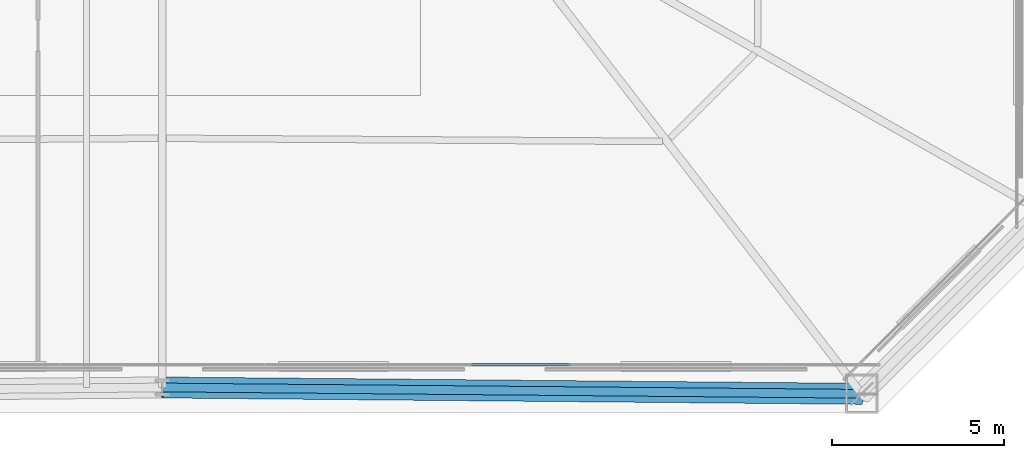
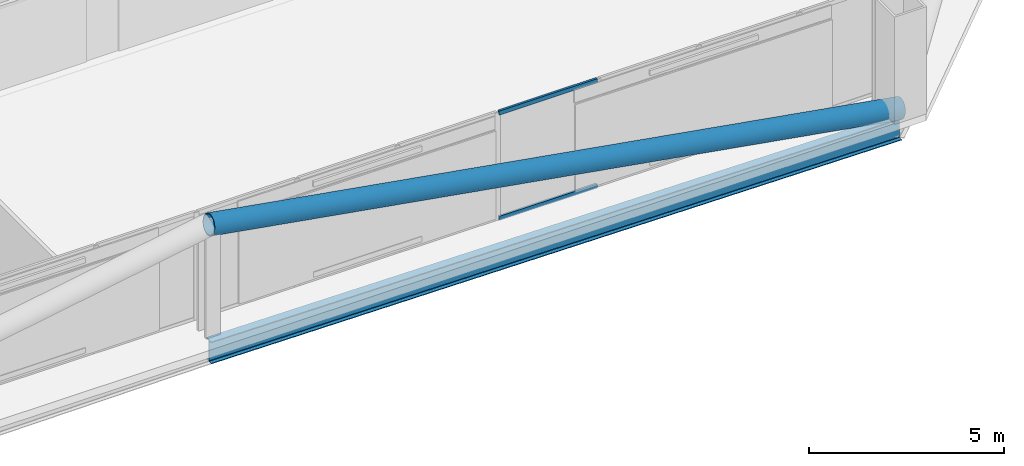
# One storey, part 20 of 50: 3 members, 1 beam, 1 element without a shape of its own.
"""IFC4 building model written with IfcOpenShell, lengths in metres."""

from ifc_helpers import new_model, si_unit, direction, frame, origin, origin_2d, place, context, subcontext, project, spatial, hollow_rectangle, hollow_circle, i_section, extrude, material, layer, layer_set, material_profile, profile_set, type_object, element, aggregate, save


model = new_model("IFC4")

# Units and contexts
model_context = context("Model", 3, precision=1e-05, world=origin(), true_north=direction((0.0, 1.0)))
body_context = subcontext(model_context, "Body", "Model", "MODEL_VIEW")
ifc_project = project(units=[si_unit("LENGTHUNIT", "METRE"), si_unit("AREAUNIT", "SQUARE_METRE"), si_unit("VOLUMEUNIT", "CUBIC_METRE"), si_unit("PLANEANGLEUNIT", "RADIAN"), si_unit("MASSUNIT", "GRAM", prefix="KILO")], contexts=[model_context])

# Site, building, storey
site_placement = place(None, origin())
site = spatial("IfcSite", under=ifc_project, at=site_placement, CompositionType="ELEMENT")
building_placement = place(site_placement, origin())
building = spatial("IfcBuilding", under=site, at=building_placement, Name="Caelvoria Tower", CompositionType="ELEMENT")
storey_placement = place(building_placement, frame((0.0, 0.0, 71.199951171875)))
storey = spatial("IfcBuildingStorey", under=building, at=storey_placement, Name="L18", CompositionType="ELEMENT", Elevation=71.199951171875)

# Curtain wall, members
ifc_material_1 = material(Name="Anodised Bronze Aluminium and Low-E Glass", Category="aluminium")
ifc_layer = layer(ifc_material_1, 0.18505859375, Name="Anodised Bronze Aluminium and Low-E Glass")
ifc_layer_set = layer_set([ifc_layer], Name="CW System 2 Lower Tower Bronze Unitised Facade - Anodised Bronze Aluminium and Low-E Glass")
curtain_wall_type = type_object("IfcCurtainWallType", Name="CW System 2 Lower Tower Bronze Unitised Facade", PredefinedType="NOTDEFINED", material=ifc_layer_set)
curtain_wall_placement = place(storey_placement, origin())
curtain_wall = element("IfcCurtainWall", 1, at=curtain_wall_placement, inside=storey, type_object=curtain_wall_type, Name="CW-02 Curtain Wall L18-E0", PredefinedType="NOTDEFINED")
ifc_material_2 = material(Name="Anodised Bronze Architectural Aluminium", Category="aluminium")
ifc_material_profile_1 = material_profile(ifc_material_2, hollow_rectangle(XDim=0.06494140625, YDim=0.1298828125, WallThickness=0.00341796875, at=origin_2d()), Name="Anodised Bronze Architectural Aluminium")
ifc_profile_set_1 = profile_set([ifc_material_profile_1], Name="CW_TRAN_65X130 - Anodised Bronze Architectural Aluminium")
member_type_1 = type_object("IfcMemberType", Name="Curtain Wall Transom 65x130 Bronze Aluminium", PredefinedType="USERDEFINED", material=ifc_profile_set_1)
member_1_placement = place(storey_placement, frame((54.94677734375, 10.179931640625, 0.032470703125), z_axis=(1.0, 0.0, 0.0), x_axis=(0.0, 1.0, 0.0)))
member_1 = element("IfcMember", 2, at=member_1_placement, type_object=member_type_1, Name="CW-02 transom 11.1", ObjectType="TRANSOM", PredefinedType="USERDEFINED", context=body_context, shape_type="SweptSolid", body=[
    extrude(hollow_rectangle(XDim=0.06494140625, YDim=0.1298828125, WallThickness=0.00341796875, at=origin_2d()), origin(), (0.0, 0.0, 1.0), 2.906494140625),
])
member_2_placement = place(storey_placement, frame((54.94677734375, 10.179931640625, 3.32763671875), z_axis=(1.0, 0.0, 0.0), x_axis=(0.0, 1.0, 0.0)))
member_2 = element("IfcMember", 3, at=member_2_placement, type_object=member_type_1, Name="CW-02 transom 11.2", ObjectType="TRANSOM", PredefinedType="USERDEFINED", context=body_context, shape_type="SweptSolid", body=[
    extrude(hollow_rectangle(XDim=0.06494140625, YDim=0.1298828125, WallThickness=0.00341796875, at=origin_2d()), origin(), (0.0, 0.0, 1.0), 2.906494140625),
])
aggregate(curtain_wall, [member_1, member_2])

# Member
ifc_material_3 = material(Name="Structural Steel ASTM A572 Gr.50", Category="steel")
ifc_material_profile_2 = material_profile(ifc_material_3, hollow_circle(Radius=0.304931640625, WallThickness=0.02490234375, at=origin_2d()), Name="Structural Steel ASTM A572 Gr.50")
ifc_profile_set_2 = profile_set([ifc_material_profile_2], Name="CHS610X25 - Structural Steel ASTM A572 Gr.50")
member_type_2 = type_object("IfcMemberType", Name="Lower Perimeter Mega Brace CHS610X25", PredefinedType="BRACE", material=ifc_profile_set_2)
member_3_placement = place(storey_placement, frame((66.3193359375, 9.336181640625, 0.0), z_axis=(-0.986562079401, 0.008925857233, 0.16314285936), x_axis=(-0.009047065688, -0.999959074464, 0.0)))
element("IfcMember", 4, at=member_3_placement, inside=storey, type_object=member_type_2, Name="Perimeter Cardinal Mega Brace L18 SB", PredefinedType="BRACE", context=body_context, shape_type="SweptSolid", body=[
    extrude(hollow_circle(Radius=0.304931640625, WallThickness=0.02490234375, at=origin_2d()), origin(), (0.0, 0.0, 1.0), 20.59619140625),
])

# Beam
ifc_material_4 = material(Name="Structural Steel ASTM A992 Gr.50", Category="steel")
ifc_material_profile_3 = material_profile(ifc_material_4, i_section(OverallWidth=0.25390625, OverallDepth=0.68798828125, WebThickness=0.01318359375, FlangeThickness=0.02099609375, FilletRadius=0.01904296875, at=origin_2d()), Name="Structural Steel ASTM A992 Gr.50")
ifc_profile_set_3 = profile_set([ifc_material_profile_3], Name="W690X152 - Structural Steel ASTM A992 Gr.50")
beam_type = type_object("IfcBeamType", Name="Perimeter Spandrel Girder W690X152", PredefinedType="BEAM", material=ifc_profile_set_3)
beam_placement = place(storey_placement, frame((46.0, 9.52001953125, -0.583984375), z_axis=(0.999959074464, -0.009047065688, 0.0), x_axis=(0.009047065688, 0.999959074464, 0.0)))
element("IfcBeam", 5, at=beam_placement, inside=storey, type_object=beam_type, Name="Perimeter Spandrel Girder L18-01", PredefinedType="BEAM", context=body_context, shape_type="SweptSolid", body=[
    extrude(i_section(OverallWidth=0.25390625, OverallDepth=0.68798828125, WebThickness=0.01318359375, FlangeThickness=0.02099609375, FilletRadius=0.01904296875, at=origin_2d()), origin(), (0.0, 0.0, 1.0), 20.320068359375),
])

save(model, "model.ifc")
